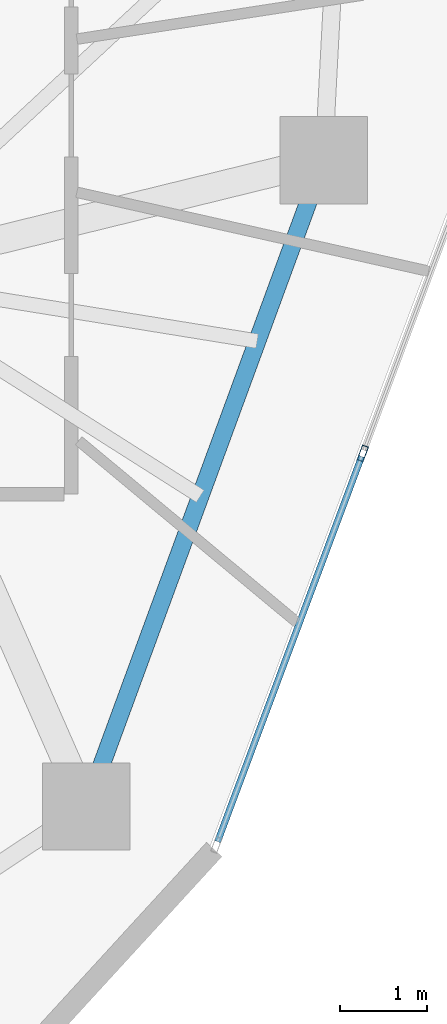
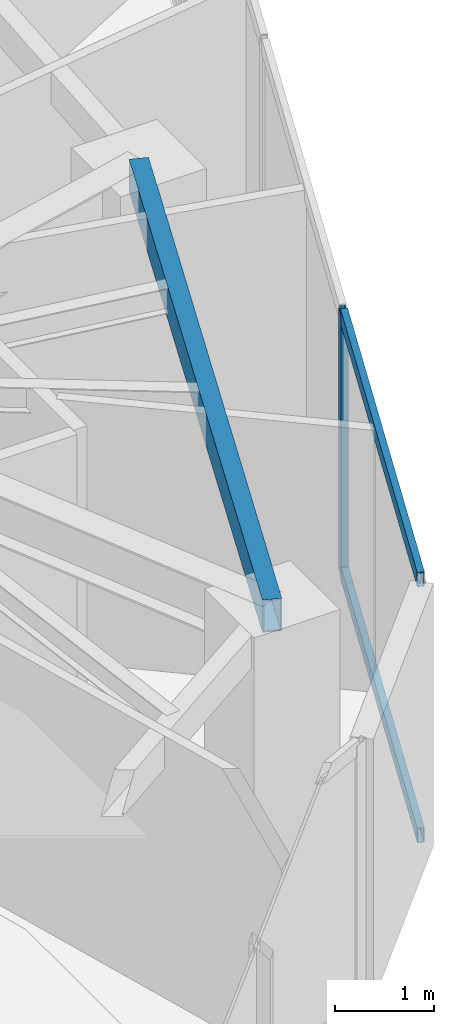
# One storey, part 7 of 18: 3 members, 1 beam, 1 element without a shape of its own.
"""IFC4 building model written with IfcOpenShell, lengths in metres."""

import ifcopenshell
import ifcopenshell.guid

model = None  # the IFC model being written
_history = None  # IfcOwnerHistory: only IFC2X3 demands one
_inside = {}  # id of a spatial element -> (the spatial element, [elements in it])
_under = {}  # id of a project, library or spatial element -> (it, [spatial elements below it])
_declared = {}  # id of a project -> (the project, [libraries it declares])
_typed = {}  # id of a type object -> (the type object, [elements of that type])
_made_of = {}  # id of a material, layer set ... -> (it, [elements and type objects made of it])


def new_model(schema):
    """Start an empty IFC model of exactly this schema.

    Asked for "IFC4X3", IfcOpenShell would pick the latest addendum, in which some entities
    have other attributes; the version numbers below select the first issue.
    IFC2X3 requires an IfcOwnerHistory on every rooted entity: one is made here for all.
    """
    global model, _history
    if schema == "IFC4X3":
        model = ifcopenshell.file(schema_version=(4, 3, 0, 0))
    else:
        model = ifcopenshell.file(schema=schema)
    _inside.clear()
    _under.clear()
    _declared.clear()
    _typed.clear()
    _made_of.clear()
    _history = None
    if model.schema == "IFC2X3":
        org = make("IfcOrganization", Name="unknown")
        user = make(
            "IfcPersonAndOrganization",
            ThePerson=make("IfcPerson", FamilyName="unknown"),
            TheOrganization=org,
        )
        app = make(
            "IfcApplication",
            ApplicationDeveloper=org,
            Version="unknown",
            ApplicationFullName="unknown",
            ApplicationIdentifier="unknown",
        )
        _history = make(
            "IfcOwnerHistory",
            OwningUser=user,
            OwningApplication=app,
            ChangeAction="ADDED",
            CreationDate=0,
        )
    return model


def make(cls, **values):
    """One entity of the class cls with the attributes given. An attribute that is None is left unset."""
    return model.create_entity(
        cls, **{name: value for name, value in values.items() if value is not None}
    )


def rooted(cls, **values):
    """An entity with a GlobalId (a new one), such as an element, a storey or a relation."""
    return make(cls, GlobalId=ifcopenshell.guid.new(), OwnerHistory=_history, **values)


def si_unit(unit_type, name, prefix=None):
    """IfcSIUnit, for example si_unit("LENGTHUNIT", "METRE", prefix="MILLI")."""
    return make("IfcSIUnit", UnitType=unit_type, Prefix=prefix, Name=name)


def assignment(units):
    """IfcUnitAssignment: the units of a project."""
    return None if units is None else make("IfcUnitAssignment", Units=units)


def point(xyz):
    """IfcCartesianPoint."""
    return None if xyz is None else make("IfcCartesianPoint", Coordinates=xyz)


def direction(xyz):
    """IfcDirection."""
    return None if xyz is None else make("IfcDirection", DirectionRatios=xyz)


def frame(location, z_axis=None, x_axis=None):
    """IfcAxis2Placement3D, a coordinate frame: its origin and axes. An axis left out is left unset."""
    return make(
        "IfcAxis2Placement3D",
        Location=point(location),
        Axis=direction(z_axis),
        RefDirection=direction(x_axis),
    )


def frame_2d(location, x_axis=None):
    """IfcAxis2Placement2D, a coordinate frame in the plane: its origin and x axis."""
    return make(
        "IfcAxis2Placement2D", Location=point(location), RefDirection=direction(x_axis)
    )


def origin():
    """The frame at (0, 0, 0) with its axes left unset."""
    return frame((0.0, 0.0, 0.0))


def origin_2d():
    """The frame at (0, 0) in the plane with its x axis left unset."""
    return frame_2d((0.0, 0.0))


def place(relative_to, where):
    """IfcLocalPlacement: puts the frame where relative to a parent placement (None: the world)."""
    return make(
        "IfcLocalPlacement", PlacementRelTo=relative_to, RelativePlacement=where
    )


def context(
    kind, dimensions, precision=None, world=None, true_north=None, identifier=None
):
    """IfcGeometricRepresentationContext, for example the 3D "Model" context."""
    return make(
        "IfcGeometricRepresentationContext",
        ContextIdentifier=identifier,
        ContextType=kind,
        CoordinateSpaceDimension=dimensions,
        Precision=precision,
        WorldCoordinateSystem=world,
        TrueNorth=true_north,
    )


def subcontext(parent, identifier, kind, view, scale=None):
    """IfcGeometricRepresentationSubContext, for example "Body" below "Model"."""
    return make(
        "IfcGeometricRepresentationSubContext",
        ContextIdentifier=identifier,
        ContextType=kind,
        ParentContext=parent,
        TargetScale=scale,
        TargetView=view,
    )


def project(units=None, contexts=None):
    """IfcProject with its units and contexts."""
    return rooted(
        "IfcProject",
        Name="project",
        RepresentationContexts=contexts,
        UnitsInContext=assignment(units),
    )


def spatial(cls, under=None, at=None, **own):
    """A site, building, storey or space (cls), placed at a placement, below another one or the project."""
    s = rooted(cls, ObjectPlacement=at, **own)
    if under is not None:
        _under.setdefault(under.id(), (under, []))[1].append(s)
    return s


def profile(cls, at=None, kind="AREA", **sizes):
    """A parametric profile (cls). Its sizes go by their IFC names, for example OverallWidth=200.0."""
    return make(cls, ProfileType=kind, Position=at, **sizes)


def hollow_rectangle(**sizes):
    """IfcRectangleHollowProfileDef."""
    return profile("IfcRectangleHollowProfileDef", **sizes)


def extrude(swept, where, along, depth):
    """IfcExtrudedAreaSolid: the profile swept, set in the frame where, extruded along a direction by depth."""
    return make(
        "IfcExtrudedAreaSolid",
        SweptArea=swept,
        Position=where,
        ExtrudedDirection=direction(along),
        Depth=depth,
    )


def shape(context_of_items, identifier, shape_type, items):
    """IfcShapeRepresentation: the items that make up one representation, for example the "Body"."""
    return make(
        "IfcShapeRepresentation",
        ContextOfItems=context_of_items,
        RepresentationIdentifier=identifier,
        RepresentationType=shape_type,
        Items=items,
    )


def source(mapping_origin, context_of_items, identifier, shape_type, items):
    """IfcRepresentationMap: a shape defined once, which mapped items show again and again."""
    return make(
        "IfcRepresentationMap",
        MappingOrigin=mapping_origin,
        MappedRepresentation=shape(context_of_items, identifier, shape_type, items),
    )


def transform(
    local_origin,
    x_axis=None,
    y_axis=None,
    z_axis=None,
    scale=None,
    scale2=None,
    scale3=None,
    uniform=True,
):
    """IfcCartesianTransformationOperator3D, or its non-uniform kind. x_axis, y_axis, z_axis: its Axis1, 2, 3."""
    if uniform:
        return make(
            "IfcCartesianTransformationOperator3D",
            Axis1=direction(x_axis),
            Axis2=direction(y_axis),
            LocalOrigin=point(local_origin),
            Scale=scale,
            Axis3=direction(z_axis),
        )
    return make(
        "IfcCartesianTransformationOperator3DnonUniform",
        Axis1=direction(x_axis),
        Axis2=direction(y_axis),
        LocalOrigin=point(local_origin),
        Scale=scale,
        Axis3=direction(z_axis),
        Scale2=scale2,
        Scale3=scale3,
    )


def mapped(mapping_source, mapping_target):
    """IfcMappedItem: shows the shape of a source again, moved by a transform."""
    return make(
        "IfcMappedItem", MappingSource=mapping_source, MappingTarget=mapping_target
    )


def material(Name=None, Category=None):
    """IfcMaterial."""
    return make("IfcMaterial", Name=Name, Category=Category)


def layer(
    of_material, thickness, ventilated=None, Name=None, Category=None, Priority=None
):
    """IfcMaterialLayer: one layer of a wall or slab, of a material (None: an air gap)."""
    return make(
        "IfcMaterialLayer",
        Material=of_material,
        LayerThickness=thickness,
        IsVentilated=ventilated,
        Name=Name,
        Category=Category,
        Priority=Priority,
    )


def layer_set(layers, Name=None):
    """IfcMaterialLayerSet."""
    return make("IfcMaterialLayerSet", MaterialLayers=layers, LayerSetName=Name)


def material_profile(
    of_material, cross_section, Name=None, Category=None, Priority=None
):
    """IfcMaterialProfile: a cross section and its material."""
    return make(
        "IfcMaterialProfile",
        Name=Name,
        Material=of_material,
        Profile=cross_section,
        Priority=Priority,
        Category=Category,
    )


def profile_set(profiles, Name=None, composite=None):
    """IfcMaterialProfileSet."""
    return make(
        "IfcMaterialProfileSet",
        Name=Name,
        MaterialProfiles=profiles,
        CompositeProfile=composite,
    )


def made_of(thing, what):
    """Note that an element or type object is made of a material, layer set ...; save() writes the relation."""
    if what is not None:
        _made_of.setdefault(what.id(), (what, []))[1].append(thing)
    return thing


def type_object(cls, material=None, **own):
    """A type object (cls), such as IfcWallType, which elements share."""
    return made_of(rooted(cls, **own), material)


def type_shapes(of_type, sources):
    """Give a type object the sources (RepresentationMaps) that its elements show as mapped items."""
    of_type.RepresentationMaps = sources


def element(
    cls,
    number,
    at=None,
    inside=None,
    cuts=None,
    type_object=None,
    material=None,
    context=None,
    identifier="Body",
    shape_type=None,
    held_by="IfcProductDefinitionShape",
    body=None,
    shapes=None,
    **own,
):
    """One element of the class cls, such as IfcWall. Its Tag is "e" and its number.

    at: its placement. inside: the storey or other place that contains it. cuts: it is an
    opening in that element (IfcRelVoidsElement). A single representation is given by context,
    identifier, shape_type and body (its items); several are given by shapes. held_by: the class
    of the entity that holds the representations. save() writes the other relations.
    """
    e = rooted(cls, Tag="e%d" % number, ObjectPlacement=at, **own)
    if body is not None:
        shapes = [shape(context, identifier, shape_type, body)]
    if shapes is not None:
        e.Representation = make(held_by, Representations=shapes)
    if inside is not None:
        _inside.setdefault(inside.id(), (inside, []))[1].append(e)
    if cuts is not None:
        rooted(
            "IfcRelVoidsElement", RelatingBuildingElement=cuts, RelatedOpeningElement=e
        )
    if type_object is not None:
        _typed.setdefault(type_object.id(), (type_object, []))[1].append(e)
    return made_of(e, material)


def aggregate(whole, parts):
    """IfcRelAggregates: a whole, such as a stair, and the parts it consists of."""
    return rooted("IfcRelAggregates", RelatingObject=whole, RelatedObjects=parts)


def save(model, path):
    """Write the relations noted so far, then the file.

    IfcRelAggregates (storeys below a building ...), IfcRelContainedInSpatialStructure (elements
    in a storey), IfcRelDefinesByType, IfcRelAssociatesMaterial and IfcRelDeclares: one each for
    every whole, place, type object, material and project.
    """
    for whole, parts in _under.values():
        aggregate(whole, parts)
    for where, things in _inside.values():
        rooted(
            "IfcRelContainedInSpatialStructure",
            RelatedElements=things,
            RelatingStructure=where,
        )
    for kind, things in _typed.values():
        rooted("IfcRelDefinesByType", RelatedObjects=things, RelatingType=kind)
    for what, things in _made_of.values():
        rooted("IfcRelAssociatesMaterial", RelatedObjects=things, RelatingMaterial=what)
    for by, libraries in _declared.values():
        rooted("IfcRelDeclares", RelatingContext=by, RelatedDefinitions=libraries)
    model.write(path)


model = new_model("IFC4")

# Units and contexts
model_context = context("Model", 3, precision=1e-05, world=origin(), true_north=direction((0.0, 1.0)))
body_context = subcontext(model_context, "Body", "Model", "MODEL_VIEW")
ifc_project = project(units=[si_unit("LENGTHUNIT", "METRE"), si_unit("AREAUNIT", "SQUARE_METRE"), si_unit("VOLUMEUNIT", "CUBIC_METRE"), si_unit("PLANEANGLEUNIT", "RADIAN"), si_unit("MASSUNIT", "GRAM", prefix="KILO")], contexts=[model_context])

# Site, building, storey
site_placement = place(None, origin())
site = spatial("IfcSite", under=ifc_project, at=site_placement, CompositionType="ELEMENT")
building_placement = place(site_placement, origin())
building = spatial("IfcBuilding", under=site, at=building_placement, Name="Talar Marvaseh", CompositionType="ELEMENT")
storey_placement = place(building_placement, frame((0.0, 0.0, 167.0)))
storey = spatial("IfcBuildingStorey", under=building, at=storey_placement, Name="L43", CompositionType="ELEMENT", Elevation=167.0)

# Beam
ifc_material_1 = material(Name="Steel S355", Category="steel")
ifc_material_profile_1 = material_profile(ifc_material_1, hollow_rectangle(XDim=0.199951171875, YDim=0.39990234375, WallThickness=0.013916015625, at=origin_2d()), Name="RHS400x200x14")
ifc_profile_set_1 = profile_set([ifc_material_profile_1], Name="Steel S355")
beam_type = type_object("IfcBeamType", Name="Zone 3 Perimeter Spandrel Beam RHS400x200x14", PredefinedType="SPANDREL", material=ifc_profile_set_1)
beam_placement = place(storey_placement, frame((38.68896484375, 26.823974609375, 3.030029296875), z_axis=(-0.344742291376, -0.938697370049, 0.0), x_axis=(0.938697370049, -0.344742291376, 0.0)))
element("IfcBeam", 1, at=beam_placement, inside=storey, type_object=beam_type, Name="L43 Zone 3 Perimeter Spandrel Beam RHS400x200x14", PredefinedType="SPANDREL", context=body_context, shape_type="SweptSolid", body=[
    extrude(hollow_rectangle(XDim=0.199951171875, YDim=0.39990234375, WallThickness=0.013916015625, at=origin_2d()), origin(), (0.0, 0.0, 1.0), 7.88427734375),
])

# Curtain wall, members
ifc_material_2 = material(Name="Architectural Aluminium", Category="aluminium")
ifc_layer = layer(ifc_material_2, 0.18994140625)
ifc_layer_set = layer_set([ifc_layer], Name="Architectural Aluminium")
curtain_wall_type = type_object("IfcCurtainWallType", Name="Unitised Solar Atelier Curtain Wall Z3", PredefinedType="NOTDEFINED", material=ifc_layer_set)
curtain_wall_placement = place(storey_placement, origin())
curtain_wall = element("IfcCurtainWall", 2, at=curtain_wall_placement, inside=storey, type_object=curtain_wall_type, Name="L43 Unitised Solar Atelier Curtain Wall Z3", PredefinedType="NOTDEFINED")
ifc_material_profile_2 = material_profile(ifc_material_2, hollow_rectangle(XDim=0.074951171875, YDim=0.179931640625, WallThickness=0.0048828125, at=origin_2d()), Name="RHS180x75x5")
ifc_profile_set_2 = profile_set([ifc_material_profile_2], Name="Architectural Aluminium")
member_type_1 = type_object("IfcMemberType", Name="Unitised Curtain Wall Standard Mullion RHS180x75x5", PredefinedType="MULLION", material=ifc_profile_set_2)
shared_shape_1 = source(origin(), body_context, "Body", "SweptSolid", [
    extrude(hollow_rectangle(XDim=0.074951171875, YDim=0.179931640625, WallThickness=0.0048828125, at=origin_2d()), origin(), (0.0, 0.0, 1.0), 3.22998046875),
])
type_shapes(member_type_1, [shared_shape_1])
member_1_placement = place(storey_placement, frame((39.13671875, 23.466552734375, 0.0), z_axis=(0.0, 0.0, 1.0), x_axis=(0.936616923625, -0.350355160345, 0.0)))
member_1 = element("IfcMember", 3, at=member_1_placement, type_object=member_type_1, Name="CW-Z3 mullion 4", PredefinedType="MULLION", context=body_context, shape_type="MappedRepresentation", body=[
    mapped(shared_shape_1, transform((0.0, 0.0, 0.0), x_axis=(1.0, 0.0, 0.0), y_axis=(0.0, 1.0, 0.0), z_axis=(0.0, 0.0, 1.0), scale=1.0)),
])
ifc_material_profile_3 = material_profile(ifc_material_2, hollow_rectangle(XDim=0.074951171875, YDim=0.179931640625, WallThickness=0.0048828125, at=origin_2d()), Name="RHS180x75x5")
ifc_profile_set_3 = profile_set([ifc_material_profile_3], Name="Architectural Aluminium")
member_type_2 = type_object("IfcMemberType", Name="Unitised Curtain Wall Transom RHS180x75x5", PredefinedType="USERDEFINED", material=ifc_profile_set_3)
shared_shape_2 = source(origin(), body_context, "Body", "SweptSolid", [
    extrude(hollow_rectangle(XDim=0.074951171875, YDim=0.179931640625, WallThickness=0.0048828125, at=origin_2d()), origin(), (0.0, 0.0, 1.0), 4.70947265625),
])
type_shapes(member_type_2, [shared_shape_2])
member_2_placement = place(storey_placement, frame((39.12353515625, 23.431396484375, 0.03759765625), z_axis=(-0.350344987329, -0.936620728926, 0.0), x_axis=(0.936620728926, -0.350344987329, 0.0)))
member_2 = element("IfcMember", 4, at=member_2_placement, type_object=member_type_2, Name="CW-Z3 transom 4.1", ObjectType="TRANSOM", PredefinedType="USERDEFINED", context=body_context, shape_type="MappedRepresentation", body=[
    mapped(shared_shape_2, transform((0.0, 0.0, 0.0), x_axis=(1.0, 0.0, 0.0), y_axis=(0.0, 1.0, 0.0), z_axis=(0.0, 0.0, 1.0), scale=1.0)),
])
member_3_placement = place(storey_placement, frame((39.12353515625, 23.431396484375, 3.1923828125), z_axis=(-0.350344987329, -0.936620728926, 0.0), x_axis=(0.936620728926, -0.350344987329, 0.0)))
member_3 = element("IfcMember", 5, at=member_3_placement, type_object=member_type_2, Name="CW-Z3 transom 4.2", ObjectType="TRANSOM", PredefinedType="USERDEFINED", context=body_context, shape_type="MappedRepresentation", body=[
    mapped(shared_shape_2, transform((0.0, 0.0, 0.0), x_axis=(1.0, 0.0, 0.0), y_axis=(0.0, 1.0, 0.0), z_axis=(0.0, 0.0, 1.0), scale=1.0)),
])
aggregate(curtain_wall, [member_1, member_2, member_3])

save(model, "model.ifc")
